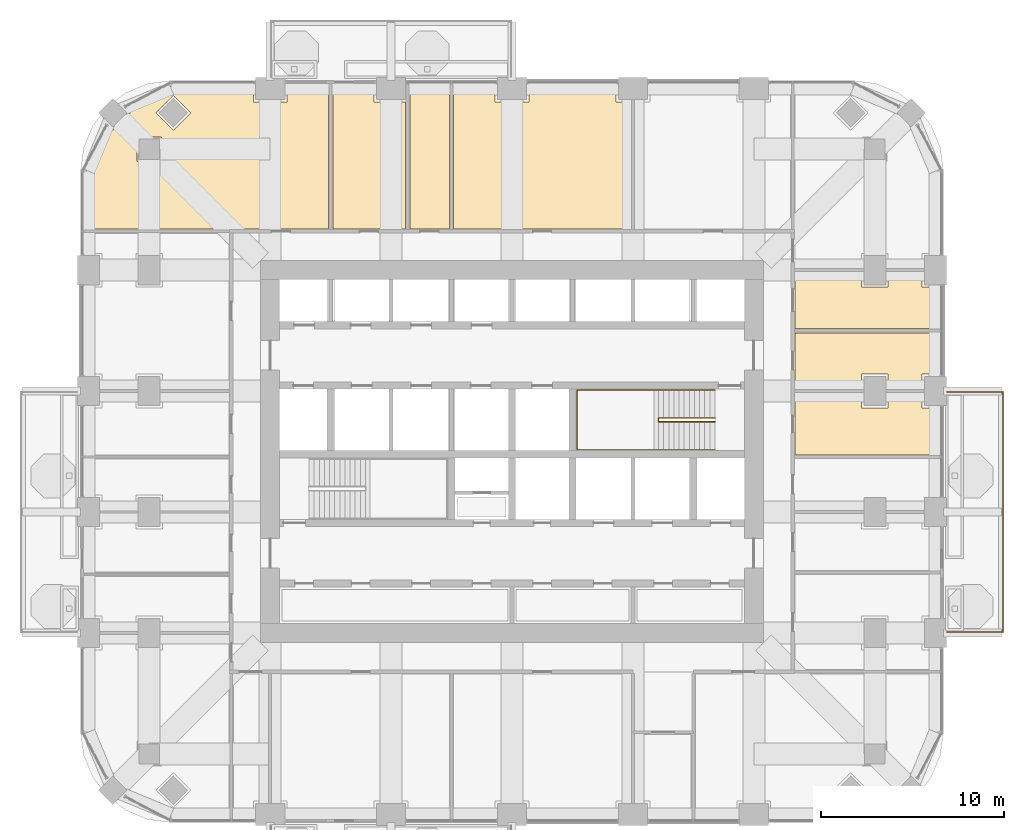
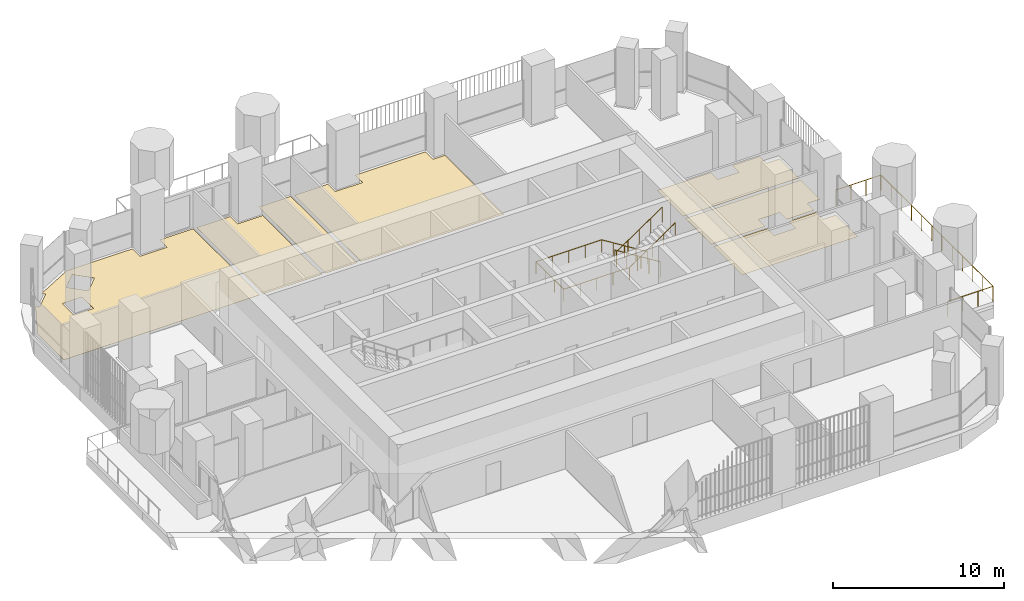
# One storey, part 18 of 20: 7 coverings, 3 railings.
"""IFC4 building model written with IfcOpenShell, lengths in metres."""

from ifc_helpers import new_model, si_unit, direction, frame, origin, place, context, subcontext, project, spatial, polyline, outline, extrude, material, layer, layer_set, type_object, element, save


model = new_model("IFC4")

# Units and contexts
model_context = context("Model", 3, precision=1e-05, world=origin(), true_north=direction((0.0, 1.0)))
body_context = subcontext(model_context, "Body", "Model", "MODEL_VIEW")
ifc_project = project(units=[si_unit("LENGTHUNIT", "METRE"), si_unit("AREAUNIT", "SQUARE_METRE"), si_unit("VOLUMEUNIT", "CUBIC_METRE"), si_unit("PLANEANGLEUNIT", "RADIAN"), si_unit("MASSUNIT", "GRAM", prefix="KILO")], contexts=[model_context])

# Site, building, storey
site_placement = place(None, origin())
site = spatial("IfcSite", under=ifc_project, at=site_placement, CompositionType="ELEMENT")
building_placement = place(site_placement, origin())
building = spatial("IfcBuilding", under=site, at=building_placement, Name="Cobogo Forest Laboratory Tower", CompositionType="ELEMENT")
storey_placement = place(building_placement, frame((0.0, 0.0, 176.699951171875)))
storey = spatial("IfcBuildingStorey", under=building, at=storey_placement, Name="L40", CompositionType="ELEMENT", Elevation=176.699951171875)

# Railing
ifc_material_1 = material(Name="Laminated glass balustrade", Category="glass")
railing_type_1 = type_object("IfcRailingType", Name="BG1 glass balustrade 1100", PredefinedType="GUARDRAIL", material=ifc_material_1)
railing_1_placement = place(storey_placement, frame((50.14990234375, 13.25, 0.0)))
element("IfcRailing", 1, at=railing_1_placement, inside=storey, type_object=railing_type_1, Name="Balcony balustrade BAL-E1 L40", PredefinedType="GUARDRAIL", context=body_context, shape_type="SweptSolid", body=[
    extrude(outline(polyline([(0.022216796875, 0.00927734375), (0.00927734375, 0.022216796875), (-0.00927734375, 0.022216796875), (-0.022216796875, 0.00927734375), (-0.022216796875, -0.00927734375), (-0.00927734375, -0.022216796875), (0.00927734375, -0.022216796875), (0.022216796875, -0.00927734375), (0.022216796875, 0.00927734375)])), frame((0.0, 0.0, 1.077880859375), z_axis=(1.0, 0.0, 0.0), x_axis=(0.0, 1.0, 0.0)), (0.0, 0.0, 1.0), 3.050048828125),
    extrude(outline(polyline([(0.022216796875, 0.00927734375), (0.00927734375, 0.022216796875), (-0.00927734375, 0.022216796875), (-0.022216796875, 0.00927734375), (-0.022216796875, -0.00927734375), (-0.00927734375, -0.022216796875), (0.00927734375, -0.022216796875), (0.022216796875, -0.00927734375), (0.022216796875, 0.00927734375)])), frame((3.050048828125, 0.0, 1.077880859375), z_axis=(0.0, 1.0, 0.0), x_axis=(-1.0, 0.0, 0.0)), (0.0, 0.0, 1.0), 13.10009765625),
    extrude(outline(polyline([(0.022216796875, 0.00927734375), (0.00927734375, 0.022216796875), (-0.00927734375, 0.022216796875), (-0.022216796875, 0.00927734375), (-0.022216796875, -0.00927734375), (-0.00927734375, -0.022216796875), (0.00927734375, -0.022216796875), (0.022216796875, -0.00927734375), (0.022216796875, 0.00927734375)])), frame((3.050048828125, 13.10009765625, 1.077880859375), z_axis=(-1.0, 0.0, 0.0), x_axis=(0.0, -1.0, 0.0)), (0.0, 0.0, 1.0), 3.050048828125),
    extrude(outline(polyline([(0.019287109375, 0.008056640625), (0.008056640625, 0.019287109375), (-0.008056640625, 0.019287109375), (-0.019287109375, 0.008056640625), (-0.019287109375, -0.008056640625), (-0.008056640625, -0.019287109375), (0.008056640625, -0.019287109375), (0.019287109375, -0.008056640625), (0.019287109375, 0.008056640625)])), origin(), (0.0, 0.0, 1.0), 1.077880859375),
    extrude(outline(polyline([(0.019287109375, 0.008056640625), (0.008056640625, 0.019287109375), (-0.008056640625, 0.019287109375), (-0.019287109375, 0.008056640625), (-0.019287109375, -0.008056640625), (-0.008056640625, -0.019287109375), (0.008056640625, -0.019287109375), (0.019287109375, -0.008056640625), (0.019287109375, 0.008056640625)])), frame((1.0166015625, 0.0, 0.0)), (0.0, 0.0, 1.0), 1.077880859375),
    extrude(outline(polyline([(0.019287109375, 0.008056640625), (0.008056640625, 0.019287109375), (-0.008056640625, 0.019287109375), (-0.019287109375, 0.008056640625), (-0.019287109375, -0.008056640625), (-0.008056640625, -0.019287109375), (0.008056640625, -0.019287109375), (0.019287109375, -0.008056640625), (0.019287109375, 0.008056640625)])), frame((2.033447265625, 0.0, 0.0)), (0.0, 0.0, 1.0), 1.077880859375),
    extrude(outline(polyline([(0.019287109375, 0.008056640625), (0.008056640625, 0.019287109375), (-0.008056640625, 0.019287109375), (-0.019287109375, 0.008056640625), (-0.019287109375, -0.008056640625), (-0.008056640625, -0.019287109375), (0.008056640625, -0.019287109375), (0.019287109375, -0.008056640625), (0.019287109375, 0.008056640625)])), frame((3.050048828125, 0.0, 0.0)), (0.0, 0.0, 1.0), 1.077880859375),
    extrude(outline(polyline([(0.019287109375, 0.008056640625), (0.008056640625, 0.019287109375), (-0.008056640625, 0.019287109375), (-0.019287109375, 0.008056640625), (-0.019287109375, -0.008056640625), (-0.008056640625, -0.019287109375), (0.008056640625, -0.019287109375), (0.019287109375, -0.008056640625), (0.019287109375, 0.008056640625)])), frame((3.050048828125, 1.19091796875, 0.0)), (0.0, 0.0, 1.0), 1.077880859375),
    extrude(outline(polyline([(0.019287109375, 0.008056640625), (0.008056640625, 0.019287109375), (-0.008056640625, 0.019287109375), (-0.019287109375, 0.008056640625), (-0.019287109375, -0.008056640625), (-0.008056640625, -0.019287109375), (0.008056640625, -0.019287109375), (0.019287109375, -0.008056640625), (0.019287109375, 0.008056640625)])), frame((3.050048828125, 2.3818359375, 0.0)), (0.0, 0.0, 1.0), 1.077880859375),
    extrude(outline(polyline([(0.019287109375, 0.008056640625), (0.008056640625, 0.019287109375), (-0.008056640625, 0.019287109375), (-0.019287109375, 0.008056640625), (-0.019287109375, -0.008056640625), (-0.008056640625, -0.019287109375), (0.008056640625, -0.019287109375), (0.019287109375, -0.008056640625), (0.019287109375, 0.008056640625)])), frame((3.050048828125, 3.57275390625, 0.0)), (0.0, 0.0, 1.0), 1.077880859375),
    extrude(outline(polyline([(0.019287109375, 0.008056640625), (0.008056640625, 0.019287109375), (-0.008056640625, 0.019287109375), (-0.019287109375, 0.008056640625), (-0.019287109375, -0.008056640625), (-0.008056640625, -0.019287109375), (0.008056640625, -0.019287109375), (0.019287109375, -0.008056640625), (0.019287109375, 0.008056640625)])), frame((3.050048828125, 4.763671875, 0.0)), (0.0, 0.0, 1.0), 1.077880859375),
    extrude(outline(polyline([(0.019287109375, 0.008056640625), (0.008056640625, 0.019287109375), (-0.008056640625, 0.019287109375), (-0.019287109375, 0.008056640625), (-0.019287109375, -0.008056640625), (-0.008056640625, -0.019287109375), (0.008056640625, -0.019287109375), (0.019287109375, -0.008056640625), (0.019287109375, 0.008056640625)])), frame((3.050048828125, 5.95458984375, 0.0)), (0.0, 0.0, 1.0), 1.077880859375),
    extrude(outline(polyline([(0.019287109375, 0.008056640625), (0.008056640625, 0.019287109375), (-0.008056640625, 0.019287109375), (-0.019287109375, 0.008056640625), (-0.019287109375, -0.008056640625), (-0.008056640625, -0.019287109375), (0.008056640625, -0.019287109375), (0.019287109375, -0.008056640625), (0.019287109375, 0.008056640625)])), frame((3.050048828125, 7.1455078125, 0.0)), (0.0, 0.0, 1.0), 1.077880859375),
    extrude(outline(polyline([(0.019287109375, 0.008056640625), (0.008056640625, 0.019287109375), (-0.008056640625, 0.019287109375), (-0.019287109375, 0.008056640625), (-0.019287109375, -0.008056640625), (-0.008056640625, -0.019287109375), (0.008056640625, -0.019287109375), (0.019287109375, -0.008056640625), (0.019287109375, 0.008056640625)])), frame((3.050048828125, 8.33642578125, 0.0)), (0.0, 0.0, 1.0), 1.077880859375),
    extrude(outline(polyline([(0.019287109375, 0.008056640625), (0.008056640625, 0.019287109375), (-0.008056640625, 0.019287109375), (-0.019287109375, 0.008056640625), (-0.019287109375, -0.008056640625), (-0.008056640625, -0.019287109375), (0.008056640625, -0.019287109375), (0.019287109375, -0.008056640625), (0.019287109375, 0.008056640625)])), frame((3.050048828125, 9.52734375, 0.0)), (0.0, 0.0, 1.0), 1.077880859375),
    extrude(outline(polyline([(0.019287109375, 0.008056640625), (0.008056640625, 0.019287109375), (-0.008056640625, 0.019287109375), (-0.019287109375, 0.008056640625), (-0.019287109375, -0.008056640625), (-0.008056640625, -0.019287109375), (0.008056640625, -0.019287109375), (0.019287109375, -0.008056640625), (0.019287109375, 0.008056640625)])), frame((3.050048828125, 10.71826171875, 0.0)), (0.0, 0.0, 1.0), 1.077880859375),
    extrude(outline(polyline([(0.019287109375, 0.008056640625), (0.008056640625, 0.019287109375), (-0.008056640625, 0.019287109375), (-0.019287109375, 0.008056640625), (-0.019287109375, -0.008056640625), (-0.008056640625, -0.019287109375), (0.008056640625, -0.019287109375), (0.019287109375, -0.008056640625), (0.019287109375, 0.008056640625)])), frame((3.050048828125, 11.9091796875, 0.0)), (0.0, 0.0, 1.0), 1.077880859375),
    extrude(outline(polyline([(0.019287109375, 0.008056640625), (0.008056640625, 0.019287109375), (-0.008056640625, 0.019287109375), (-0.019287109375, 0.008056640625), (-0.019287109375, -0.008056640625), (-0.008056640625, -0.019287109375), (0.008056640625, -0.019287109375), (0.019287109375, -0.008056640625), (0.019287109375, 0.008056640625)])), frame((3.050048828125, 13.10009765625, 0.0)), (0.0, 0.0, 1.0), 1.077880859375),
    extrude(outline(polyline([(0.019287109375, 0.008056640625), (0.008056640625, 0.019287109375), (-0.008056640625, 0.019287109375), (-0.019287109375, 0.008056640625), (-0.019287109375, -0.008056640625), (-0.008056640625, -0.019287109375), (0.008056640625, -0.019287109375), (0.019287109375, -0.008056640625), (0.019287109375, 0.008056640625)])), frame((2.033447265625, 13.10009765625, 0.0)), (0.0, 0.0, 1.0), 1.077880859375),
    extrude(outline(polyline([(0.019287109375, 0.008056640625), (0.008056640625, 0.019287109375), (-0.008056640625, 0.019287109375), (-0.019287109375, 0.008056640625), (-0.019287109375, -0.008056640625), (-0.008056640625, -0.019287109375), (0.008056640625, -0.019287109375), (0.019287109375, -0.008056640625), (0.019287109375, 0.008056640625)])), frame((1.0166015625, 13.10009765625, 0.0)), (0.0, 0.0, 1.0), 1.077880859375),
    extrude(outline(polyline([(0.019287109375, 0.008056640625), (0.008056640625, 0.019287109375), (-0.008056640625, 0.019287109375), (-0.019287109375, 0.008056640625), (-0.019287109375, -0.008056640625), (-0.008056640625, -0.019287109375), (0.008056640625, -0.019287109375), (0.019287109375, -0.008056640625), (0.019287109375, 0.008056640625)])), frame((0.0, 13.10009765625, 0.0)), (0.0, 0.0, 1.0), 1.077880859375),
])

# Coverings
ifc_material_2 = material(Name="Carpet tile on raised access floor", Category="flooring")
ifc_layer_1 = layer(ifc_material_2, 0.008056640625)
ifc_layer_set_1 = layer_set([ifc_layer_1], Name="CT1 carpet tile floor 8")
covering_type_1 = type_object("IfcCoveringType", Name="CT1 carpet tile floor 8", PredefinedType="FLOORING", material=ifc_layer_set_1)
covering_1_placement = place(storey_placement, origin())
element("IfcCovering", 2, at=covering_1_placement, inside=storey, type_object=covering_type_1, Name="Carpet floor L40-10", PredefinedType="FLOORING", context=body_context, shape_type="SweptSolid", body=[
    extrude(outline(polyline([(41.844970703125, 29.580078125), (49.64990234375, 29.580078125), (49.64990234375, 27.320068359375), (48.780029296875, 27.320068359375), (48.780029296875, 26.52001953125), (46.919921875, 26.52001953125), (46.919921875, 27.320068359375), (45.47998046875, 27.320068359375), (45.47998046875, 26.52001953125), (41.844970703125, 26.52001953125), (41.844970703125, 29.580078125)])), origin(), (0.0, 0.0, 1.0), 0.008056640625),
])
covering_2_placement = place(storey_placement, origin())
element("IfcCovering", 3, at=covering_2_placement, inside=storey, type_object=covering_type_1, Name="Carpet floor L40-13", PredefinedType="FLOORING", context=body_context, shape_type="SweptSolid", body=[
    extrude(outline(polyline([(3.14990234375, 35.2451171875), (3.14990234375, 38.350830078125), (4.440185546875, 40.812255859375), (4.617919921875, 40.634521484375), (5.5654296875, 41.58203125), (5.387939453125, 41.759765625), (7.84912109375, 43.050048828125), (12.280029296875, 43.050048828125), (12.280029296875, 42.179931640625), (14.1201171875, 42.179931640625), (14.1201171875, 43.050048828125), (16.3798828125, 43.050048828125), (16.3798828125, 35.2451171875), (3.14990234375, 35.2451171875)]), holes=[polyline([(7.91796875, 40.634521484375), (8.865478515625, 41.58203125), (7.91796875, 42.529541015625), (6.970458984375, 41.58203125), (7.91796875, 40.634521484375)]), polyline([(5.929931640625, 38.929931640625), (7.27001953125, 38.929931640625), (7.27001953125, 40.27001953125), (5.929931640625, 40.27001953125), (5.929931640625, 38.929931640625)])]), origin(), (0.0, 0.0, 1.0), 0.008056640625),
])
covering_3_placement = place(storey_placement, origin())
element("IfcCovering", 4, at=covering_3_placement, inside=storey, type_object=covering_type_1, Name="Carpet floor L40-14", PredefinedType="FLOORING", context=body_context, shape_type="SweptSolid", body=[
    extrude(outline(polyline([(16.6201171875, 35.2451171875), (16.6201171875, 43.050048828125), (18.8798828125, 43.050048828125), (18.8798828125, 42.179931640625), (20.580078125, 42.179931640625), (20.580078125, 35.2451171875), (16.6201171875, 35.2451171875)])), origin(), (0.0, 0.0, 1.0), 0.008056640625),
])
covering_4_placement = place(storey_placement, origin())
element("IfcCovering", 5, at=covering_4_placement, inside=storey, type_object=covering_type_1, Name="Carpet floor L40-16", PredefinedType="FLOORING", context=body_context, shape_type="SweptSolid", body=[
    extrude(outline(polyline([(23.219970703125, 35.2451171875), (23.219970703125, 43.050048828125), (25.47998046875, 43.050048828125), (25.47998046875, 42.179931640625), (27.320068359375, 42.179931640625), (27.320068359375, 43.050048828125), (32.080078125, 43.050048828125), (32.080078125, 42.179931640625), (32.8798828125, 42.179931640625), (32.8798828125, 35.2451171875), (23.219970703125, 35.2451171875)])), origin(), (0.0, 0.0, 1.0), 0.008056640625),
])

# Railings
ifc_material_3 = material(Name="Steel balustrade", Category="steel")
railing_type_2 = type_object("IfcRailingType", Name="GR stair guard 1100", PredefinedType="GUARDRAIL", material=ifc_material_3)
railing_2_placement = place(storey_placement, frame((37.47509765625, 24.929931640625, 0.175048828125)))
element("IfcRailing", 6, at=railing_2_placement, inside=storey, type_object=railing_type_2, Name="Stair guard ST2 L40", PredefinedType="GUARDRAIL", context=body_context, shape_type="SweptSolid", body=[
    extrude(outline(polyline([(0.022216796875, 0.00927734375), (0.00927734375, 0.022216796875), (-0.00927734375, 0.022216796875), (-0.022216796875, 0.00927734375), (-0.022216796875, -0.00927734375), (-0.00927734375, -0.022216796875), (0.00927734375, -0.022216796875), (0.022216796875, -0.00927734375), (0.022216796875, 0.00927734375)])), frame((0.0, 0.0, 1.077880859375), z_axis=(-0.847998304005, 0.0, 0.529998940003), x_axis=(0.0, -1.0, 0.0)), (0.0, 0.0, 1.0), 3.632080078125),
    extrude(outline(polyline([(0.022216796875, 0.00927734375), (0.00927734375, 0.022216796875), (-0.00927734375, 0.022216796875), (-0.022216796875, 0.00927734375), (-0.022216796875, -0.00927734375), (-0.00927734375, -0.022216796875), (0.00927734375, -0.022216796875), (0.022216796875, -0.00927734375), (0.022216796875, 0.00927734375)])), frame((-3.080078125, 0.0, 3.0029296875), z_axis=(0.0, -1.0, 0.0), x_axis=(1.0, 0.0, 0.0)), (0.0, 0.0, 1.0), 0.2099609375),
    extrude(outline(polyline([(0.022216796875, 0.00927734375), (0.00927734375, 0.022216796875), (-0.00927734375, 0.022216796875), (-0.022216796875, 0.00927734375), (-0.022216796875, -0.00927734375), (-0.00927734375, -0.022216796875), (0.00927734375, -0.022216796875), (0.022216796875, -0.00927734375), (0.022216796875, 0.00927734375)])), frame((-3.080078125, -0.2099609375, 3.0029296875), z_axis=(0.826252282691, 0.0, 0.563300244406), x_axis=(0.0, 1.0, 0.0)), (0.0, 0.0, 1.0), 3.727783203125),
    extrude(outline(polyline([(0.019287109375, 0.008056640625), (0.008056640625, 0.019287109375), (-0.008056640625, 0.019287109375), (-0.019287109375, 0.008056640625), (-0.019287109375, -0.008056640625), (-0.008056640625, -0.019287109375), (0.008056640625, -0.019287109375), (0.019287109375, -0.008056640625), (0.019287109375, 0.008056640625)])), origin(), (0.0, 0.0, 1.0), 1.077880859375),
    extrude(outline(polyline([(0.019287109375, 0.008056640625), (0.008056640625, 0.019287109375), (-0.008056640625, 0.019287109375), (-0.019287109375, 0.008056640625), (-0.019287109375, -0.008056640625), (-0.008056640625, -0.019287109375), (0.008056640625, -0.019287109375), (0.019287109375, -0.008056640625), (0.019287109375, 0.008056640625)])), frame((-0.77001953125, 0.0, 0.481201171875)), (0.0, 0.0, 1.0), 1.077880859375),
    extrude(outline(polyline([(0.019287109375, 0.008056640625), (0.008056640625, 0.019287109375), (-0.008056640625, 0.019287109375), (-0.019287109375, 0.008056640625), (-0.019287109375, -0.008056640625), (-0.008056640625, -0.019287109375), (0.008056640625, -0.019287109375), (0.019287109375, -0.008056640625), (0.019287109375, 0.008056640625)])), frame((-1.5400390625, 0.0, 0.96240234375)), (0.0, 0.0, 1.0), 1.077880859375),
    extrude(outline(polyline([(0.019287109375, 0.008056640625), (0.008056640625, 0.019287109375), (-0.008056640625, 0.019287109375), (-0.019287109375, 0.008056640625), (-0.019287109375, -0.008056640625), (-0.008056640625, -0.019287109375), (0.008056640625, -0.019287109375), (0.019287109375, -0.008056640625), (0.019287109375, 0.008056640625)])), frame((-2.31005859375, 0.0, 1.44384765625)), (0.0, 0.0, 1.0), 1.077880859375),
    extrude(outline(polyline([(0.019287109375, 0.008056640625), (0.008056640625, 0.019287109375), (-0.008056640625, 0.019287109375), (-0.019287109375, 0.008056640625), (-0.019287109375, -0.008056640625), (-0.008056640625, -0.019287109375), (0.008056640625, -0.019287109375), (0.019287109375, -0.008056640625), (0.019287109375, 0.008056640625)])), frame((-3.080078125, 0.0, 1.925048828125)), (0.0, 0.0, 1.0), 1.077880859375),
    extrude(outline(polyline([(0.019287109375, 0.008056640625), (0.008056640625, 0.019287109375), (-0.008056640625, 0.019287109375), (-0.019287109375, 0.008056640625), (-0.019287109375, -0.008056640625), (-0.008056640625, -0.019287109375), (0.008056640625, -0.019287109375), (0.019287109375, -0.008056640625), (0.019287109375, 0.008056640625)])), frame((-3.080078125, -0.2099609375, 1.925048828125)), (0.0, 0.0, 1.0), 1.077880859375),
    extrude(outline(polyline([(0.019287109375, 0.008056640625), (0.008056640625, 0.019287109375), (-0.008056640625, 0.019287109375), (-0.019287109375, 0.008056640625), (-0.019287109375, -0.008056640625), (-0.008056640625, -0.019287109375), (0.008056640625, -0.019287109375), (0.019287109375, -0.008056640625), (0.019287109375, 0.008056640625)])), frame((-2.31005859375, -0.2099609375, 2.449951171875)), (0.0, 0.0, 1.0), 1.077880859375),
    extrude(outline(polyline([(0.019287109375, 0.008056640625), (0.008056640625, 0.019287109375), (-0.008056640625, 0.019287109375), (-0.019287109375, 0.008056640625), (-0.019287109375, -0.008056640625), (-0.008056640625, -0.019287109375), (0.008056640625, -0.019287109375), (0.019287109375, -0.008056640625), (0.019287109375, 0.008056640625)])), frame((-1.5400390625, -0.2099609375, 2.97509765625)), (0.0, 0.0, 1.0), 1.077880859375),
    extrude(outline(polyline([(0.019287109375, 0.008056640625), (0.008056640625, 0.019287109375), (-0.008056640625, 0.019287109375), (-0.019287109375, 0.008056640625), (-0.019287109375, -0.008056640625), (-0.008056640625, -0.019287109375), (0.008056640625, -0.019287109375), (0.019287109375, -0.008056640625), (0.019287109375, 0.008056640625)])), frame((-0.77001953125, -0.2099609375, 3.5)), (0.0, 0.0, 1.0), 1.077880859375),
    extrude(outline(polyline([(0.019287109375, 0.008056640625), (0.008056640625, 0.019287109375), (-0.008056640625, 0.019287109375), (-0.019287109375, 0.008056640625), (-0.019287109375, -0.008056640625), (-0.008056640625, -0.019287109375), (0.008056640625, -0.019287109375), (0.019287109375, -0.008056640625), (0.019287109375, 0.008056640625)])), frame((0.0, -0.2099609375, 4.02490234375)), (0.0, 0.0, 1.0), 1.077880859375),
])
ifc_material_4 = material(Name="Stainless steel handrail", Category="steel")
railing_type_3 = type_object("IfcRailingType", Name="HR handrail 900", PredefinedType="HANDRAIL", material=ifc_material_4)
railing_3_placement = place(storey_placement, frame((37.47509765625, 26.449951171875, 0.175048828125)))
element("IfcRailing", 7, at=railing_3_placement, inside=storey, type_object=railing_type_3, Name="Stair handrail ST2 L40", PredefinedType="HANDRAIL", context=body_context, shape_type="SweptSolid", body=[
    extrude(outline(polyline([(0.022216796875, 0.00927734375), (0.00927734375, 0.022216796875), (-0.00927734375, 0.022216796875), (-0.022216796875, 0.00927734375), (-0.022216796875, -0.00927734375), (-0.00927734375, -0.022216796875), (0.00927734375, -0.022216796875), (0.022216796875, -0.00927734375), (0.022216796875, 0.00927734375)])), frame((0.0, 0.0, 0.877685546875), z_axis=(-0.847998304005, 0.0, 0.529998940003), x_axis=(0.0, -1.0, 0.0)), (0.0, 0.0, 1.0), 3.632080078125),
    extrude(outline(polyline([(0.022216796875, 0.00927734375), (0.00927734375, 0.022216796875), (-0.00927734375, 0.022216796875), (-0.022216796875, 0.00927734375), (-0.022216796875, -0.00927734375), (-0.00927734375, -0.022216796875), (0.00927734375, -0.022216796875), (0.022216796875, -0.00927734375), (0.022216796875, 0.00927734375)])), frame((-3.080078125, 0.0, 2.802734375), z_axis=(-1.0, 0.0, 0.0), x_axis=(0.0, -1.0, 0.0)), (0.0, 0.0, 1.0), 4.445068359375),
    extrude(outline(polyline([(0.022216796875, 0.00927734375), (0.00927734375, 0.022216796875), (-0.00927734375, 0.022216796875), (-0.022216796875, 0.00927734375), (-0.022216796875, -0.00927734375), (-0.00927734375, -0.022216796875), (0.00927734375, -0.022216796875), (0.022216796875, -0.00927734375), (0.022216796875, 0.00927734375)])), frame((-7.525146484375, 0.0, 2.802734375), z_axis=(0.0, -1.0, 0.0), x_axis=(1.0, 0.0, 0.0)), (0.0, 0.0, 1.0), 3.25),
    extrude(outline(polyline([(0.022216796875, 0.00927734375), (0.00927734375, 0.022216796875), (-0.00927734375, 0.022216796875), (-0.022216796875, 0.00927734375), (-0.022216796875, -0.00927734375), (-0.00927734375, -0.022216796875), (0.00927734375, -0.022216796875), (0.022216796875, -0.00927734375), (0.022216796875, 0.00927734375)])), frame((-7.525146484375, -3.25, 2.802734375), z_axis=(1.0, 0.0, 0.0), x_axis=(0.0, 1.0, 0.0)), (0.0, 0.0, 1.0), 4.445068359375),
    extrude(outline(polyline([(0.022216796875, 0.00927734375), (0.00927734375, 0.022216796875), (-0.00927734375, 0.022216796875), (-0.022216796875, 0.00927734375), (-0.022216796875, -0.00927734375), (-0.00927734375, -0.022216796875), (0.00927734375, -0.022216796875), (0.022216796875, -0.00927734375), (0.022216796875, 0.00927734375)])), frame((-3.080078125, -3.25, 2.802734375), z_axis=(0.826252282691, 0.0, 0.563300244406), x_axis=(0.0, 1.0, 0.0)), (0.0, 0.0, 1.0), 3.727783203125),
    extrude(outline(polyline([(0.019287109375, 0.008056640625), (0.008056640625, 0.019287109375), (-0.008056640625, 0.019287109375), (-0.019287109375, 0.008056640625), (-0.019287109375, -0.008056640625), (-0.008056640625, -0.019287109375), (0.008056640625, -0.019287109375), (0.019287109375, -0.008056640625), (0.019287109375, 0.008056640625)])), origin(), (0.0, 0.0, 1.0), 0.877685546875),
    extrude(outline(polyline([(0.019287109375, 0.008056640625), (0.008056640625, 0.019287109375), (-0.008056640625, 0.019287109375), (-0.019287109375, 0.008056640625), (-0.019287109375, -0.008056640625), (-0.008056640625, -0.019287109375), (0.008056640625, -0.019287109375), (0.019287109375, -0.008056640625), (0.019287109375, 0.008056640625)])), frame((-0.77001953125, 0.0, 0.481201171875)), (0.0, 0.0, 1.0), 0.877685546875),
    extrude(outline(polyline([(0.019287109375, 0.008056640625), (0.008056640625, 0.019287109375), (-0.008056640625, 0.019287109375), (-0.019287109375, 0.008056640625), (-0.019287109375, -0.008056640625), (-0.008056640625, -0.019287109375), (0.008056640625, -0.019287109375), (0.019287109375, -0.008056640625), (0.019287109375, 0.008056640625)])), frame((-1.5400390625, 0.0, 0.96240234375)), (0.0, 0.0, 1.0), 0.877685546875),
    extrude(outline(polyline([(0.019287109375, 0.008056640625), (0.008056640625, 0.019287109375), (-0.008056640625, 0.019287109375), (-0.019287109375, 0.008056640625), (-0.019287109375, -0.008056640625), (-0.008056640625, -0.019287109375), (0.008056640625, -0.019287109375), (0.019287109375, -0.008056640625), (0.019287109375, 0.008056640625)])), frame((-2.31005859375, 0.0, 1.44384765625)), (0.0, 0.0, 1.0), 0.877685546875),
    extrude(outline(polyline([(0.019287109375, 0.008056640625), (0.008056640625, 0.019287109375), (-0.008056640625, 0.019287109375), (-0.019287109375, 0.008056640625), (-0.019287109375, -0.008056640625), (-0.008056640625, -0.019287109375), (0.008056640625, -0.019287109375), (0.019287109375, -0.008056640625), (0.019287109375, 0.008056640625)])), frame((-3.080078125, 0.0, 1.925048828125)), (0.0, 0.0, 1.0), 0.877685546875),
    extrude(outline(polyline([(0.019287109375, 0.008056640625), (0.008056640625, 0.019287109375), (-0.008056640625, 0.019287109375), (-0.019287109375, 0.008056640625), (-0.019287109375, -0.008056640625), (-0.008056640625, -0.019287109375), (0.008056640625, -0.019287109375), (0.019287109375, -0.008056640625), (0.019287109375, 0.008056640625)])), frame((-4.19140625, 0.0, 1.925048828125)), (0.0, 0.0, 1.0), 0.877685546875),
    extrude(outline(polyline([(0.019287109375, 0.008056640625), (0.008056640625, 0.019287109375), (-0.008056640625, 0.019287109375), (-0.019287109375, 0.008056640625), (-0.019287109375, -0.008056640625), (-0.008056640625, -0.019287109375), (0.008056640625, -0.019287109375), (0.019287109375, -0.008056640625), (0.019287109375, 0.008056640625)])), frame((-5.302734375, 0.0, 1.925048828125)), (0.0, 0.0, 1.0), 0.877685546875),
    extrude(outline(polyline([(0.019287109375, 0.008056640625), (0.008056640625, 0.019287109375), (-0.008056640625, 0.019287109375), (-0.019287109375, 0.008056640625), (-0.019287109375, -0.008056640625), (-0.008056640625, -0.019287109375), (0.008056640625, -0.019287109375), (0.019287109375, -0.008056640625), (0.019287109375, 0.008056640625)])), frame((-6.413818359375, 0.0, 1.925048828125)), (0.0, 0.0, 1.0), 0.877685546875),
    extrude(outline(polyline([(0.019287109375, 0.008056640625), (0.008056640625, 0.019287109375), (-0.008056640625, 0.019287109375), (-0.019287109375, 0.008056640625), (-0.019287109375, -0.008056640625), (-0.008056640625, -0.019287109375), (0.008056640625, -0.019287109375), (0.019287109375, -0.008056640625), (0.019287109375, 0.008056640625)])), frame((-7.525146484375, 0.0, 1.925048828125)), (0.0, 0.0, 1.0), 0.877685546875),
    extrude(outline(polyline([(0.019287109375, 0.008056640625), (0.008056640625, 0.019287109375), (-0.008056640625, 0.019287109375), (-0.019287109375, 0.008056640625), (-0.019287109375, -0.008056640625), (-0.008056640625, -0.019287109375), (0.008056640625, -0.019287109375), (0.019287109375, -0.008056640625), (0.019287109375, 0.008056640625)])), frame((-7.525146484375, -1.083251953125, 1.925048828125)), (0.0, 0.0, 1.0), 0.877685546875),
    extrude(outline(polyline([(0.019287109375, 0.008056640625), (0.008056640625, 0.019287109375), (-0.008056640625, 0.019287109375), (-0.019287109375, 0.008056640625), (-0.019287109375, -0.008056640625), (-0.008056640625, -0.019287109375), (0.008056640625, -0.019287109375), (0.019287109375, -0.008056640625), (0.019287109375, 0.008056640625)])), frame((-7.525146484375, -2.166748046875, 1.925048828125)), (0.0, 0.0, 1.0), 0.877685546875),
    extrude(outline(polyline([(0.019287109375, 0.008056640625), (0.008056640625, 0.019287109375), (-0.008056640625, 0.019287109375), (-0.019287109375, 0.008056640625), (-0.019287109375, -0.008056640625), (-0.008056640625, -0.019287109375), (0.008056640625, -0.019287109375), (0.019287109375, -0.008056640625), (0.019287109375, 0.008056640625)])), frame((-7.525146484375, -3.25, 1.925048828125)), (0.0, 0.0, 1.0), 0.877685546875),
    extrude(outline(polyline([(0.019287109375, 0.008056640625), (0.008056640625, 0.019287109375), (-0.008056640625, 0.019287109375), (-0.019287109375, 0.008056640625), (-0.019287109375, -0.008056640625), (-0.008056640625, -0.019287109375), (0.008056640625, -0.019287109375), (0.019287109375, -0.008056640625), (0.019287109375, 0.008056640625)])), frame((-6.413818359375, -3.25, 1.925048828125)), (0.0, 0.0, 1.0), 0.877685546875),
    extrude(outline(polyline([(0.019287109375, 0.008056640625), (0.008056640625, 0.019287109375), (-0.008056640625, 0.019287109375), (-0.019287109375, 0.008056640625), (-0.019287109375, -0.008056640625), (-0.008056640625, -0.019287109375), (0.008056640625, -0.019287109375), (0.019287109375, -0.008056640625), (0.019287109375, 0.008056640625)])), frame((-5.302734375, -3.25, 1.925048828125)), (0.0, 0.0, 1.0), 0.877685546875),
    extrude(outline(polyline([(0.019287109375, 0.008056640625), (0.008056640625, 0.019287109375), (-0.008056640625, 0.019287109375), (-0.019287109375, 0.008056640625), (-0.019287109375, -0.008056640625), (-0.008056640625, -0.019287109375), (0.008056640625, -0.019287109375), (0.019287109375, -0.008056640625), (0.019287109375, 0.008056640625)])), frame((-4.19140625, -3.25, 1.925048828125)), (0.0, 0.0, 1.0), 0.877685546875),
    extrude(outline(polyline([(0.019287109375, 0.008056640625), (0.008056640625, 0.019287109375), (-0.008056640625, 0.019287109375), (-0.019287109375, 0.008056640625), (-0.019287109375, -0.008056640625), (-0.008056640625, -0.019287109375), (0.008056640625, -0.019287109375), (0.019287109375, -0.008056640625), (0.019287109375, 0.008056640625)])), frame((-3.080078125, -3.25, 1.925048828125)), (0.0, 0.0, 1.0), 0.877685546875),
    extrude(outline(polyline([(0.019287109375, 0.008056640625), (0.008056640625, 0.019287109375), (-0.008056640625, 0.019287109375), (-0.019287109375, 0.008056640625), (-0.019287109375, -0.008056640625), (-0.008056640625, -0.019287109375), (0.008056640625, -0.019287109375), (0.019287109375, -0.008056640625), (0.019287109375, 0.008056640625)])), frame((-2.31005859375, -3.25, 2.449951171875)), (0.0, 0.0, 1.0), 0.877685546875),
    extrude(outline(polyline([(0.019287109375, 0.008056640625), (0.008056640625, 0.019287109375), (-0.008056640625, 0.019287109375), (-0.019287109375, 0.008056640625), (-0.019287109375, -0.008056640625), (-0.008056640625, -0.019287109375), (0.008056640625, -0.019287109375), (0.019287109375, -0.008056640625), (0.019287109375, 0.008056640625)])), frame((-1.5400390625, -3.25, 2.97509765625)), (0.0, 0.0, 1.0), 0.877685546875),
    extrude(outline(polyline([(0.019287109375, 0.008056640625), (0.008056640625, 0.019287109375), (-0.008056640625, 0.019287109375), (-0.019287109375, 0.008056640625), (-0.019287109375, -0.008056640625), (-0.008056640625, -0.019287109375), (0.008056640625, -0.019287109375), (0.019287109375, -0.008056640625), (0.019287109375, 0.008056640625)])), frame((-0.77001953125, -3.25, 3.5)), (0.0, 0.0, 1.0), 0.877685546875),
    extrude(outline(polyline([(0.019287109375, 0.008056640625), (0.008056640625, 0.019287109375), (-0.008056640625, 0.019287109375), (-0.019287109375, 0.008056640625), (-0.019287109375, -0.008056640625), (-0.008056640625, -0.019287109375), (0.008056640625, -0.019287109375), (0.019287109375, -0.008056640625), (0.019287109375, 0.008056640625)])), frame((0.0, -3.25, 4.02490234375)), (0.0, 0.0, 1.0), 0.877685546875),
])

# Coverings
ifc_material_5 = material(Name="Static-dissipative vinyl flooring", Category="flooring")
ifc_layer_2 = layer(ifc_material_5, 0.0029296875)
ifc_layer_set_2 = layer_set([ifc_layer_2], Name="SD1 static-dissipative vinyl floor 3")
covering_type_2 = type_object("IfcCoveringType", Name="SD1 static-dissipative vinyl floor 3", PredefinedType="FLOORING", material=ifc_layer_set_2)
covering_5_placement = place(storey_placement, origin())
element("IfcCovering", 8, at=covering_5_placement, inside=storey, type_object=covering_type_2, Name="Static-dissipative floor L40-09", PredefinedType="FLOORING", context=body_context, shape_type="SweptSolid", body=[
    extrude(outline(polyline([(41.844970703125, 26.280029296875), (45.47998046875, 26.280029296875), (45.47998046875, 25.47998046875), (46.919921875, 25.47998046875), (46.919921875, 26.280029296875), (48.780029296875, 26.280029296875), (48.780029296875, 25.47998046875), (49.64990234375, 25.47998046875), (49.64990234375, 22.919921875), (41.844970703125, 22.919921875), (41.844970703125, 26.280029296875)])), origin(), (0.0, 0.0, 1.0), 0.0029296875),
])
covering_6_placement = place(storey_placement, origin())
element("IfcCovering", 9, at=covering_6_placement, inside=storey, type_object=covering_type_2, Name="Static-dissipative floor L40-11", PredefinedType="FLOORING", context=body_context, shape_type="SweptSolid", body=[
    extrude(outline(polyline([(41.844970703125, 32.8798828125), (45.47998046875, 32.8798828125), (45.47998046875, 32.080078125), (46.919921875, 32.080078125), (46.919921875, 32.8798828125), (48.780029296875, 32.8798828125), (48.780029296875, 32.080078125), (49.64990234375, 32.080078125), (49.64990234375, 29.820068359375), (41.844970703125, 29.820068359375), (41.844970703125, 32.8798828125)])), origin(), (0.0, 0.0, 1.0), 0.0029296875),
])
ifc_material_6 = material(Name="Ceramic floor tile", Category="flooring")
ifc_layer_3 = layer(ifc_material_6, 0.010009765625)
ifc_layer_set_3 = layer_set([ifc_layer_3], Name="TF1 ceramic tile floor 10")
covering_type_3 = type_object("IfcCoveringType", Name="TF1 ceramic tile floor 10", PredefinedType="FLOORING", material=ifc_layer_set_3)
covering_7_placement = place(storey_placement, origin())
element("IfcCovering", 10, at=covering_7_placement, inside=storey, type_object=covering_type_3, Name="Tile floor L40-15", PredefinedType="FLOORING", context=body_context, shape_type="SweptSolid", body=[
    extrude(outline(polyline([(22.97998046875, 35.2451171875), (20.820068359375, 35.2451171875), (20.820068359375, 43.050048828125), (22.97998046875, 43.050048828125), (22.97998046875, 35.2451171875)])), origin(), (0.0, 0.0, 1.0), 0.010009765625),
])

save(model, "model.ifc")
